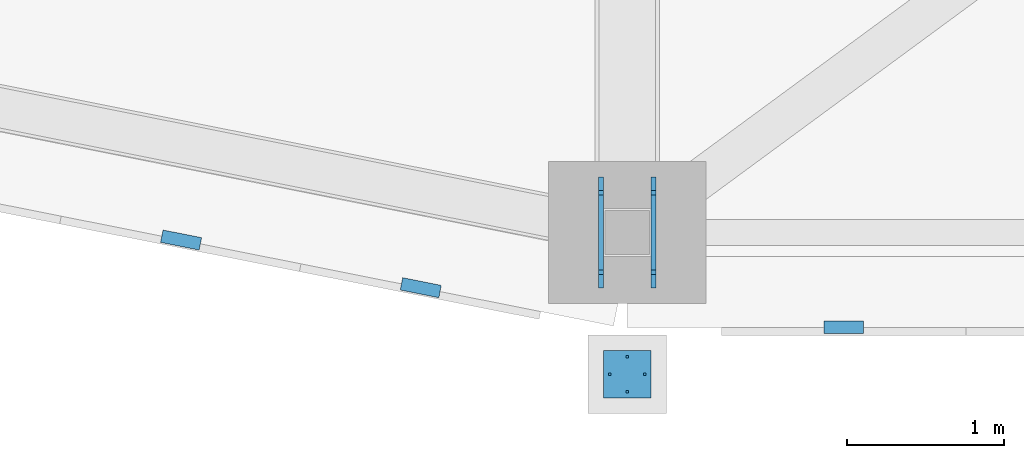
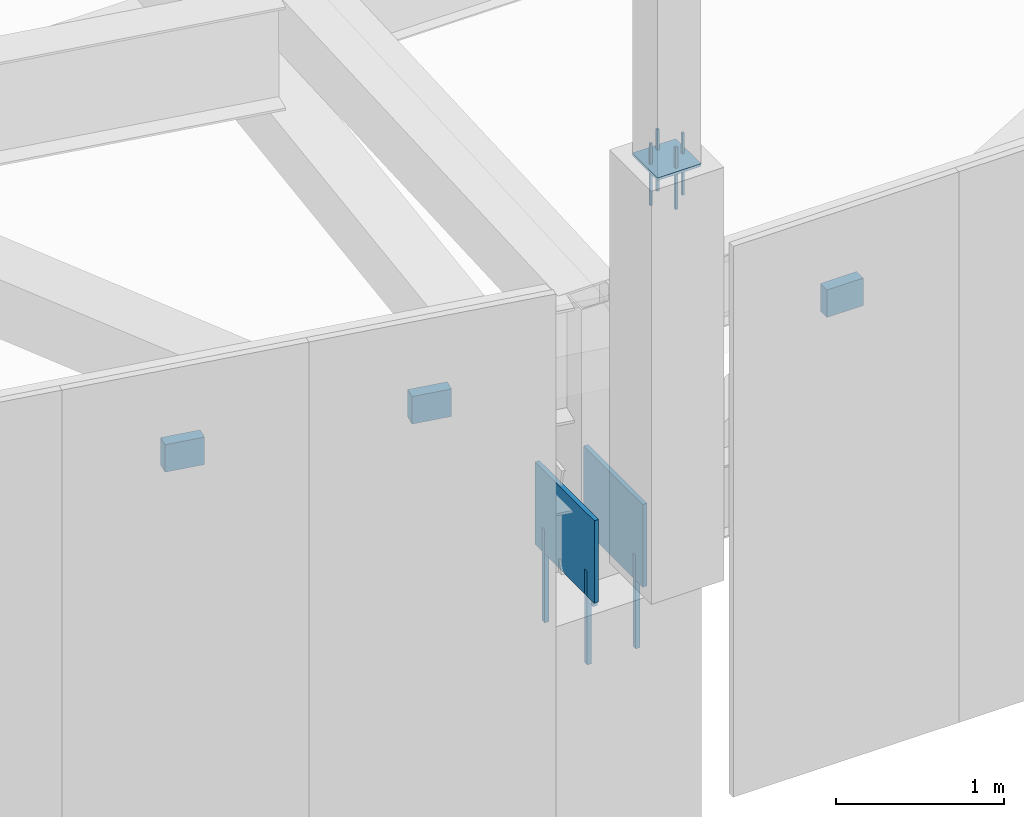
# One storey, part 119 of 278: 8 mechanical fasteners, 6 discrete accessories.
"""IFC4 building model written with IfcOpenShell, lengths in metres."""

from ifc_helpers import new_model, si_unit, direction, frame, origin, origin_2d, place, context, subcontext, project, spatial, rectangle, extrude, material, layer, layer_set, type_object, element, save


model = new_model("IFC4")

# Units and contexts
model_context = context("Model", 3, precision=1e-05, world=origin(), true_north=direction((0.0, 1.0)))
body_context = subcontext(model_context, "Body", "Model", "MODEL_VIEW")
ifc_project = project(units=[si_unit("LENGTHUNIT", "METRE"), si_unit("AREAUNIT", "SQUARE_METRE"), si_unit("VOLUMEUNIT", "CUBIC_METRE"), si_unit("PLANEANGLEUNIT", "RADIAN"), si_unit("MASSUNIT", "GRAM", prefix="KILO")], contexts=[model_context])

# Site, building, storey
site_placement = place(None, origin())
site = spatial("IfcSite", under=ifc_project, at=site_placement, CompositionType="ELEMENT")
building_placement = place(site_placement, origin())
building = spatial("IfcBuilding", under=site, at=building_placement, Name="Ogive Plaza Stadium", CompositionType="ELEMENT")
storey_placement = place(building_placement, frame((0.0, 0.0, 29.0)))
storey = spatial("IfcBuildingStorey", under=building, at=storey_placement, Name="Roof", CompositionType="ELEMENT", Elevation=29.0)

# Mechanical fasteners
ifc_material_1 = material(Name="Steel ASTM A992 Grade 50", Category="steel")
mechanical_fastener_type_1 = type_object("IfcMechanicalFastenerType", Name="Anchor bolt M30 x 600", PredefinedType="ANCHORBOLT", material=ifc_material_1)
for number, where, z_axis, x_axis, name in (
    (1, (-33.83349609375, -102.75244140625, 3.0), (0.0, 0.0, 1.0), (0.0, -1.0, 0.0), "ANCHOR BOLT 17 BF 1.1"),
    (2, (-33.83349609375, -102.24755859375, 3.0), (0.0, 0.0, 1.0), (0.0, -1.0, 0.0), "ANCHOR BOLT 17 BF 1.2"),
    (3, (-34.16650390625, -102.75244140625, 3.0), (0.0, 0.0, 1.0), (0.0, -1.0, 0.0), "ANCHOR BOLT 17 BF 2.1"),
    (4, (-34.16650390625, -102.24755859375, 3.0), (0.0, 0.0, 1.0), (0.0, -1.0, 0.0), "ANCHOR BOLT 17 BF 2.2"),
):
    element("IfcMechanicalFastener", number, at=place(storey_placement, frame(where, z_axis=z_axis, x_axis=x_axis)), inside=storey, type_object=mechanical_fastener_type_1, Name=name, PredefinedType="ANCHORBOLT", context=body_context, shape_type="SweptSolid", body=[
        extrude(rectangle(XDim=0.030029296875, YDim=0.030029296875, at=origin_2d()), origin(), (0.0, 0.0, 1.0), 0.679931640625),
    ])
ifc_material_2 = material(Name="Steel ASTM A992 Grade 50", Category="steel")
mechanical_fastener_type_2 = type_object("IfcMechanicalFastenerType", Name="Spire anchor bolt M16 x 450", PredefinedType="ANCHORBOLT", material=ifc_material_2)
for number, where, z_axis, x_axis, name in (
    (5, (-34.0, -103.510009765625, 6.7001953125), (0.0, 0.0, 1.0), (0.0, -1.0, 0.0), "SPIRE ANCHOR BOLT 17 1"),
    (6, (-34.0, -103.2900390625, 6.7001953125), (0.0, 0.0, 1.0), (0.0, -1.0, 0.0), "SPIRE ANCHOR BOLT 17 2"),
    (7, (-33.889892578125, -103.39990234375, 6.7001953125), (0.0, 0.0, 1.0), (0.0, -1.0, 0.0), "SPIRE ANCHOR BOLT 17 3"),
    (8, (-34.110107421875, -103.39990234375, 6.7001953125), (0.0, 0.0, 1.0), (0.0, -1.0, 0.0), "SPIRE ANCHOR BOLT 17 4"),
):
    element("IfcMechanicalFastener", number, at=place(storey_placement, frame(where, z_axis=z_axis, x_axis=x_axis)), inside=storey, type_object=mechanical_fastener_type_2, Name=name, PredefinedType="ANCHORBOLT", context=body_context, shape_type="SweptSolid", body=[
        extrude(rectangle(XDim=0.01611328125, YDim=0.01611328125, at=origin_2d()), origin(), (0.0, 0.0, 1.0), 0.449951171875),
    ])

# Discrete accessories
ifc_material_3 = material(Name="Steel ASTM A992 Grade 50", Category="steel")
ifc_layer_1 = layer(ifc_material_3, 0.02001953125)
ifc_layer_set_1 = layer_set([ifc_layer_1], Name="Steel ASTM A992 Grade 50")
discrete_accessory_type_1 = type_object("IfcDiscreteAccessoryType", Name="Spire seat plate 20", PredefinedType="ANCHORPLATE", material=ifc_layer_set_1)
discrete_accessory_placement = place(storey_placement, frame((-34.0, -103.39990234375, 6.98095703125), z_axis=(0.0, 0.0, 1.0), x_axis=(0.0, -1.0, 0.0)))
element("IfcDiscreteAccessory", 9, at=discrete_accessory_placement, inside=storey, type_object=discrete_accessory_type_1, Name="SPIRE SEAT PLATE 17", PredefinedType="ANCHORPLATE", context=body_context, shape_type="SweptSolid", body=[
    extrude(rectangle(XDim=0.300048828125, YDim=0.300048828125, at=origin_2d()), origin(), (0.0, 0.0, 1.0), 0.02001953125),
])
ifc_material_4 = material(Name="Steel ASTM A572 Grade 50", Category="steel")
ifc_layer_2 = layer(ifc_material_4, 0.080078125)
ifc_layer_set_2 = layer_set([ifc_layer_2], Name="Steel ASTM A572 Grade 50")
discrete_accessory_type_2 = type_object("IfcDiscreteAccessoryType", Name="Tracery screen bracket 250x200", PredefinedType="BRACKET", material=ifc_layer_set_2)
for number, where, z_axis, x_axis, name in (
    (10, (-32.625, -103.102294921875, 5.25), (0.0, 0.0, 1.0), (-1.0, 0.0, 0.0), "TRACERY SCREEN BRACKET B16 8"),
    (11, (-35.311279296875, -102.850341796875, 5.25), (0.0, 0.0, 1.0), (-0.980785280403, 0.195090322016, 0.0), "TRACERY SCREEN BRACKET B17 1"),
    (12, (-36.83349609375, -102.547607421875, 5.25), (0.0, 0.0, 1.0), (-0.980785280403, 0.195090322016, 0.0), "TRACERY SCREEN BRACKET B17 2"),
):
    element("IfcDiscreteAccessory", number, at=place(storey_placement, frame(where, z_axis=z_axis, x_axis=x_axis)), inside=storey, type_object=discrete_accessory_type_2, Name=name, PredefinedType="BRACKET", context=body_context, shape_type="SweptSolid", body=[
        extrude(rectangle(XDim=0.25, YDim=0.080078125, at=origin_2d()), origin(), (0.0, 0.0, 1.0), 0.199951171875),
    ])
ifc_material_5 = material(Name="Steel ASTM A992 Grade 50", Category="steel")
ifc_layer_3 = layer(ifc_material_5, 0.030029296875)
ifc_layer_set_3 = layer_set([ifc_layer_3], Name="Steel ASTM A992 Grade 50")
discrete_accessory_type_3 = type_object("IfcDiscreteAccessoryType", Name="Truss back-stay foot cleat plate 30", PredefinedType="ANCHORPLATE", material=ifc_layer_set_3)
for number, where, z_axis, x_axis, name in (
    (13, (-33.83349609375, -102.5, 3.5), (0.0, 0.0, 1.0), (0.0, -1.0, 0.0), "TRUSS BACK-STAY FOOT CLEAT PLATE 17 1"),
    (14, (-34.16650390625, -102.5, 3.5), (0.0, 0.0, 1.0), (0.0, -1.0, 0.0), "TRUSS BACK-STAY FOOT CLEAT PLATE 17 2"),
):
    element("IfcDiscreteAccessory", number, at=place(storey_placement, frame(where, z_axis=z_axis, x_axis=x_axis)), inside=storey, type_object=discrete_accessory_type_3, Name=name, PredefinedType="ANCHORPLATE", context=body_context, shape_type="SweptSolid", body=[
        extrude(rectangle(XDim=0.704833984375, YDim=0.030029296875, at=origin_2d()), origin(), (0.0, 0.0, 1.0), 0.60009765625),
    ])

save(model, "model.ifc")
